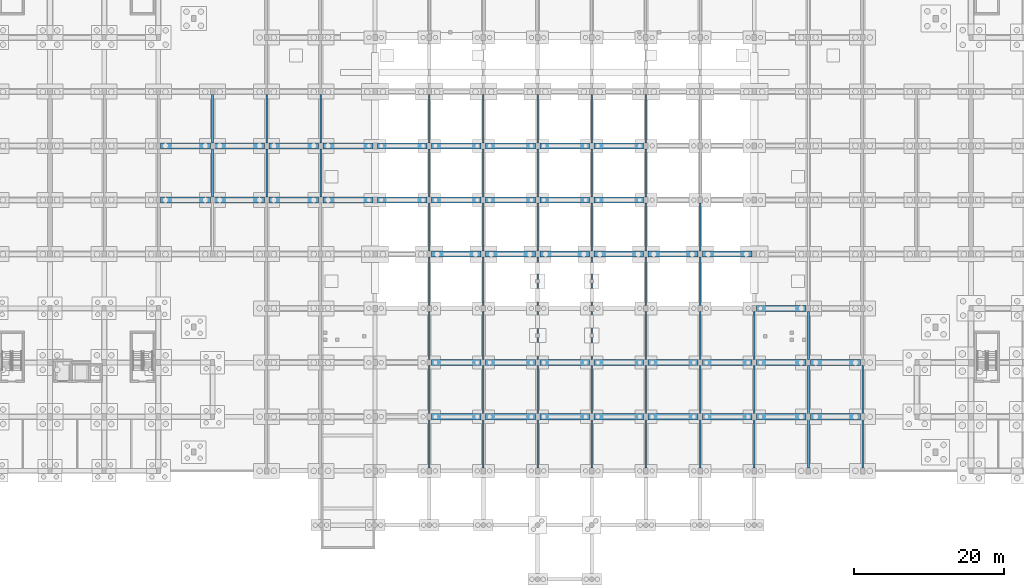
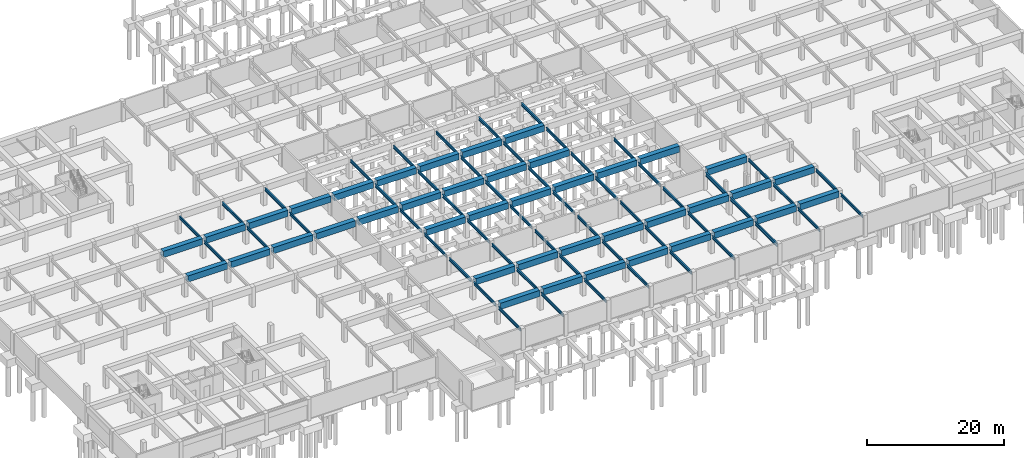
# One storey, part 19 of 36: 95 beams.
"""IFC4 building model written with IfcOpenShell, lengths in metres."""

from ifc_helpers import new_model, si_unit, direction, frame, origin, origin_2d, place, context, subcontext, project, spatial, rectangle, i_section, extrude, material, material_profile, profile_set, type_object, element, save


model = new_model("IFC4")

# Units and contexts
model_context = context("Model", 3, precision=1e-05, world=origin(), true_north=direction((0.0, 1.0)))
body_context = subcontext(model_context, "Body", "Model", "MODEL_VIEW")
ifc_project = project(units=[si_unit("LENGTHUNIT", "METRE"), si_unit("AREAUNIT", "SQUARE_METRE"), si_unit("VOLUMEUNIT", "CUBIC_METRE"), si_unit("PLANEANGLEUNIT", "RADIAN"), si_unit("MASSUNIT", "GRAM", prefix="KILO")], contexts=[model_context])

# Site, building, storey
site_placement = place(None, origin())
site = spatial("IfcSite", under=ifc_project, at=site_placement, CompositionType="ELEMENT")
building_placement = place(site_placement, origin())
building = spatial("IfcBuilding", under=site, at=building_placement, Name="Ochrevale Crest", CompositionType="ELEMENT")
storey_placement = place(building_placement, frame((0.0, 0.0, -3.60009765625)))
storey = spatial("IfcBuildingStorey", under=building, at=storey_placement, Name="B1", CompositionType="ELEMENT", Elevation=-3.60009765625)

# Beams
ifc_material_1 = material(Name="Concrete C50/60", Category="concrete")
ifc_material_profile_1 = material_profile(ifc_material_1, rectangle(XDim=0.800048828125, YDim=1.10009765625, at=origin_2d()), Name="RC 800x1100")
ifc_profile_set_1 = profile_set([ifc_material_profile_1], Name="Concrete C50/60")
beam_type_1 = type_object("IfcBeamType", Name="BM-TG800x1100", PredefinedType="USERDEFINED", material=ifc_profile_set_1)
for number, where, z_axis, x_axis, name in (
    (1, (29.094970703125, 50.39990234375, 3.050048828125), (1.0, 0.0, 0.0), (0.0, 1.0, 0.0), "B1 podium primary girder (28.8,50.4)"),
    (2, (29.094970703125, 57.60009765625, 3.050048828125), (1.0, 0.0, 0.0), (0.0, 1.0, 0.0), "B1 podium primary girder (28.8,57.6)"),
    (3, (36.294921875, 50.39990234375, 3.050048828125), (1.0, 0.0, 0.0), (0.0, 1.0, 0.0), "B1 podium primary girder (36.0,50.4)"),
    (4, (36.294921875, 57.60009765625, 3.050048828125), (1.0, 0.0, 0.0), (0.0, 1.0, 0.0), "B1 podium primary girder (36.0,57.6)"),
):
    element("IfcBeam", number, at=place(storey_placement, frame(where, z_axis=z_axis, x_axis=x_axis)), inside=storey, type_object=beam_type_1, Name=name, ObjectType="GIRDER", PredefinedType="USERDEFINED", context=body_context, shape_type="SweptSolid", body=[
        extrude(rectangle(XDim=0.800048828125, YDim=1.10009765625, at=origin_2d()), origin(), (0.0, 0.0, 1.0), 6.610107421875),
    ])
for number, where, z_axis, x_axis, name in (
    (5, (43.4951171875, 50.39990234375, 3.050048828125), (1.0, 0.0, 0.0), (0.0, 1.0, 0.0), "B1 podium primary girder (43.2,50.4)"),
    (6, (43.4951171875, 57.60009765625, 3.050048828125), (1.0, 0.0, 0.0), (0.0, 1.0, 0.0), "B1 podium primary girder (43.2,57.6)"),
    (7, (50.695068359375, 50.39990234375, 3.050048828125), (1.0, 0.0, 0.0), (0.0, 1.0, 0.0), "B1 podium primary girder (50.4,50.4)"),
    (8, (50.695068359375, 57.60009765625, 3.050048828125), (1.0, 0.0, 0.0), (0.0, 1.0, 0.0), "B1 podium primary girder (50.4,57.6)"),
    (9, (57.89501953125, 50.39990234375, 3.050048828125), (1.0, 0.0, 0.0), (0.0, 1.0, 0.0), "B1 podium primary girder (57.6,50.4)"),
    (10, (57.89501953125, 57.60009765625, 3.050048828125), (1.0, 0.0, 0.0), (0.0, 1.0, 0.0), "B1 podium primary girder (57.6,57.6)"),
):
    element("IfcBeam", number, at=place(storey_placement, frame(where, z_axis=z_axis, x_axis=x_axis)), inside=storey, type_object=beam_type_1, Name=name, ObjectType="GIRDER", PredefinedType="USERDEFINED", context=body_context, shape_type="SweptSolid", body=[
        extrude(rectangle(XDim=0.800048828125, YDim=1.10009765625, at=origin_2d()), origin(), (0.0, 0.0, 1.0), 6.60986328125),
    ])
for number, where, z_axis, x_axis, name in (
    (11, (65.094970703125, 21.60009765625, 3.050048828125), (1.0, 0.0, 0.0), (0.0, 1.0, 0.0), "B1 podium primary girder (64.8,21.6)"),
    (12, (65.094970703125, 28.800048828125, 3.050048828125), (1.0, 0.0, 0.0), (0.0, 1.0, 0.0), "B1 podium primary girder (64.8,28.8)"),
    (13, (65.094970703125, 43.199951171875, 3.050048828125), (1.0, 0.0, 0.0), (0.0, 1.0, 0.0), "B1 podium primary girder (64.8,43.2)"),
    (14, (65.094970703125, 50.39990234375, 3.050048828125), (1.0, 0.0, 0.0), (0.0, 1.0, 0.0), "B1 podium primary girder (64.8,50.4)"),
    (15, (65.094970703125, 57.60009765625, 3.050048828125), (1.0, 0.0, 0.0), (0.0, 1.0, 0.0), "B1 podium primary girder (64.8,57.6)"),
    (16, (72.294921875, 21.60009765625, 3.050048828125), (1.0, 0.0, 0.0), (0.0, 1.0, 0.0), "B1 podium primary girder (72.0,21.6)"),
    (17, (72.294921875, 28.800048828125, 3.050048828125), (1.0, 0.0, 0.0), (0.0, 1.0, 0.0), "B1 podium primary girder (72.0,28.8)"),
    (18, (72.294921875, 43.199951171875, 3.050048828125), (1.0, 0.0, 0.0), (0.0, 1.0, 0.0), "B1 podium primary girder (72.0,43.2)"),
    (19, (72.294921875, 50.39990234375, 3.050048828125), (1.0, 0.0, 0.0), (0.0, 1.0, 0.0), "B1 podium primary girder (72.0,50.4)"),
    (20, (72.294921875, 57.60009765625, 3.050048828125), (1.0, 0.0, 0.0), (0.0, 1.0, 0.0), "B1 podium primary girder (72.0,57.6)"),
):
    element("IfcBeam", number, at=place(storey_placement, frame(where, z_axis=z_axis, x_axis=x_axis)), inside=storey, type_object=beam_type_1, Name=name, ObjectType="GIRDER", PredefinedType="USERDEFINED", context=body_context, shape_type="SweptSolid", body=[
        extrude(rectangle(XDim=0.800048828125, YDim=1.10009765625, at=origin_2d()), origin(), (0.0, 0.0, 1.0), 6.610107421875),
    ])
for number, where, z_axis, x_axis, name in (
    (21, (79.4951171875, 21.60009765625, 3.050048828125), (1.0, 0.0, 0.0), (0.0, 1.0, 0.0), "B1 podium primary girder (79.2,21.6)"),
    (22, (79.4951171875, 28.800048828125, 3.050048828125), (1.0, 0.0, 0.0), (0.0, 1.0, 0.0), "B1 podium primary girder (79.2,28.8)"),
    (23, (79.4951171875, 43.199951171875, 3.050048828125), (1.0, 0.0, 0.0), (0.0, 1.0, 0.0), "B1 podium primary girder (79.2,43.2)"),
    (24, (79.4951171875, 50.39990234375, 3.050048828125), (1.0, 0.0, 0.0), (0.0, 1.0, 0.0), "B1 podium primary girder (79.2,50.4)"),
    (25, (79.4951171875, 57.60009765625, 3.050048828125), (1.0, 0.0, 0.0), (0.0, 1.0, 0.0), "B1 podium primary girder (79.2,57.6)"),
    (26, (86.695068359375, 21.60009765625, 3.050048828125), (1.0, 0.0, 0.0), (0.0, 1.0, 0.0), "B1 podium primary girder (86.4,21.6)"),
    (27, (86.695068359375, 28.800048828125, 3.050048828125), (1.0, 0.0, 0.0), (0.0, 1.0, 0.0), "B1 podium primary girder (86.4,28.8)"),
    (28, (86.695068359375, 43.199951171875, 3.050048828125), (1.0, 0.0, 0.0), (0.0, 1.0, 0.0), "B1 podium primary girder (86.4,43.2)"),
    (29, (86.695068359375, 50.39990234375, 3.050048828125), (1.0, 0.0, 0.0), (0.0, 1.0, 0.0), "B1 podium primary girder (86.4,50.4)"),
    (30, (86.695068359375, 57.60009765625, 3.050048828125), (1.0, 0.0, 0.0), (0.0, 1.0, 0.0), "B1 podium primary girder (86.4,57.6)"),
    (31, (93.89501953125, 21.60009765625, 3.050048828125), (1.0, 0.0, 0.0), (0.0, 1.0, 0.0), "B1 podium primary girder (93.6,21.6)"),
    (32, (93.89501953125, 28.800048828125, 3.050048828125), (1.0, 0.0, 0.0), (0.0, 1.0, 0.0), "B1 podium primary girder (93.6,28.8)"),
    (33, (93.89501953125, 43.199951171875, 3.050048828125), (1.0, 0.0, 0.0), (0.0, 1.0, 0.0), "B1 podium primary girder (93.6,43.2)"),
):
    element("IfcBeam", number, at=place(storey_placement, frame(where, z_axis=z_axis, x_axis=x_axis)), inside=storey, type_object=beam_type_1, Name=name, ObjectType="GIRDER", PredefinedType="USERDEFINED", context=body_context, shape_type="SweptSolid", body=[
        extrude(rectangle(XDim=0.800048828125, YDim=1.10009765625, at=origin_2d()), origin(), (0.0, 0.0, 1.0), 6.60986328125),
    ])
for number, where, z_axis, x_axis, name in (
    (34, (101.094970703125, 21.60009765625, 3.050048828125), (1.0, 0.0, 0.0), (0.0, 1.0, 0.0), "B1 podium primary girder (100.8,21.6)"),
    (35, (101.094970703125, 28.800048828125, 3.050048828125), (1.0, 0.0, 0.0), (0.0, 1.0, 0.0), "B1 podium primary girder (100.8,28.8)"),
    (36, (101.094970703125, 43.199951171875, 3.050048828125), (1.0, 0.0, 0.0), (0.0, 1.0, 0.0), "B1 podium primary girder (100.8,43.2)"),
    (37, (108.294921875, 21.60009765625, 3.050048828125), (1.0, 0.0, 0.0), (0.0, 1.0, 0.0), "B1 podium primary girder (108.0,21.6)"),
    (38, (108.294921875, 28.800048828125, 3.050048828125), (1.0, 0.0, 0.0), (0.0, 1.0, 0.0), "B1 podium primary girder (108.0,28.8)"),
    (39, (108.294921875, 36.0, 3.050048828125), (1.0, 0.0, 0.0), (0.0, 1.0, 0.0), "B1 podium primary girder (108.0,36.0)"),
):
    element("IfcBeam", number, at=place(storey_placement, frame(where, z_axis=z_axis, x_axis=x_axis)), inside=storey, type_object=beam_type_1, Name=name, ObjectType="GIRDER", PredefinedType="USERDEFINED", context=body_context, shape_type="SweptSolid", body=[
        extrude(rectangle(XDim=0.800048828125, YDim=1.10009765625, at=origin_2d()), origin(), (0.0, 0.0, 1.0), 6.610107421875),
    ])
for number, where, z_axis, x_axis, name in (
    (40, (115.4951171875, 21.60009765625, 3.050048828125), (1.0, 0.0, 0.0), (0.0, 1.0, 0.0), "B1 podium primary girder (115.2,21.6)"),
    (41, (115.4951171875, 28.800048828125, 3.050048828125), (1.0, 0.0, 0.0), (0.0, 1.0, 0.0), "B1 podium primary girder (115.2,28.8)"),
):
    element("IfcBeam", number, at=place(storey_placement, frame(where, z_axis=z_axis, x_axis=x_axis)), inside=storey, type_object=beam_type_1, Name=name, ObjectType="GIRDER", PredefinedType="USERDEFINED", context=body_context, shape_type="SweptSolid", body=[
        extrude(rectangle(XDim=0.800048828125, YDim=1.10009765625, at=origin_2d()), origin(), (0.0, 0.0, 1.0), 6.60986328125),
    ])
ifc_material_2 = material(Name="Steel S355", Category="steel")
ifc_material_profile_2 = material_profile(ifc_material_2, i_section(OverallWidth=0.208740234375, OverallDepth=0.5283203125, WebThickness=0.009521484375, FlangeThickness=0.01318359375, FilletRadius=0.013916015625, at=origin_2d()), Name="530UB82.0")
ifc_profile_set_2 = profile_set([ifc_material_profile_2], Name="Steel S355")
beam_type_2 = type_object("IfcBeamType", Name="BM-UB530", PredefinedType="USERDEFINED", material=ifc_profile_set_2)
beam_1_placement = place(storey_placement, frame((36.0, 50.794921875, 2.916015625), z_axis=(0.0, 1.0, 0.0), x_axis=(-1.0, 0.0, 0.0)))
element("IfcBeam", 42, at=beam_1_placement, inside=storey, type_object=beam_type_2, Name="B1 carpark steel girder (36.0,50.4)", ObjectType="GIRDER", PredefinedType="USERDEFINED", context=body_context, shape_type="SweptSolid", body=[
    extrude(i_section(OverallWidth=0.208740234375, OverallDepth=0.5283203125, WebThickness=0.009521484375, FlangeThickness=0.01318359375, FilletRadius=0.013916015625, at=origin_2d()), origin(), (0.0, 0.0, 1.0), 6.41015625),
])
beam_2_placement = place(storey_placement, frame((36.0, 57.9951171875, 2.916015625), z_axis=(0.0, 1.0, 0.0), x_axis=(-1.0, 0.0, 0.0)))
element("IfcBeam", 43, at=beam_2_placement, inside=storey, type_object=beam_type_2, Name="B1 carpark steel girder (36.0,57.6)", ObjectType="GIRDER", PredefinedType="USERDEFINED", context=body_context, shape_type="SweptSolid", body=[
    extrude(i_section(OverallWidth=0.208740234375, OverallDepth=0.5283203125, WebThickness=0.009521484375, FlangeThickness=0.01318359375, FilletRadius=0.013916015625, at=origin_2d()), origin(), (0.0, 0.0, 1.0), 6.409912109375),
])
beam_3_placement = place(storey_placement, frame((43.199951171875, 50.794921875, 2.916015625), z_axis=(0.0, 1.0, 0.0), x_axis=(-1.0, 0.0, 0.0)))
element("IfcBeam", 44, at=beam_3_placement, inside=storey, type_object=beam_type_2, Name="B1 carpark steel girder (43.2,50.4)", ObjectType="GIRDER", PredefinedType="USERDEFINED", context=body_context, shape_type="SweptSolid", body=[
    extrude(i_section(OverallWidth=0.208740234375, OverallDepth=0.5283203125, WebThickness=0.009521484375, FlangeThickness=0.01318359375, FilletRadius=0.013916015625, at=origin_2d()), origin(), (0.0, 0.0, 1.0), 6.41015625),
])
beam_4_placement = place(storey_placement, frame((43.199951171875, 57.9951171875, 2.916015625), z_axis=(0.0, 1.0, 0.0), x_axis=(-1.0, 0.0, 0.0)))
element("IfcBeam", 45, at=beam_4_placement, inside=storey, type_object=beam_type_2, Name="B1 carpark steel girder (43.2,57.6)", ObjectType="GIRDER", PredefinedType="USERDEFINED", context=body_context, shape_type="SweptSolid", body=[
    extrude(i_section(OverallWidth=0.208740234375, OverallDepth=0.5283203125, WebThickness=0.009521484375, FlangeThickness=0.01318359375, FilletRadius=0.013916015625, at=origin_2d()), origin(), (0.0, 0.0, 1.0), 6.409912109375),
])
beam_5_placement = place(storey_placement, frame((50.39990234375, 50.794921875, 2.916015625), z_axis=(0.0, 1.0, 0.0), x_axis=(-1.0, 0.0, 0.0)))
element("IfcBeam", 46, at=beam_5_placement, inside=storey, type_object=beam_type_2, Name="B1 carpark steel girder (50.4,50.4)", ObjectType="GIRDER", PredefinedType="USERDEFINED", context=body_context, shape_type="SweptSolid", body=[
    extrude(i_section(OverallWidth=0.208740234375, OverallDepth=0.5283203125, WebThickness=0.009521484375, FlangeThickness=0.01318359375, FilletRadius=0.013916015625, at=origin_2d()), origin(), (0.0, 0.0, 1.0), 6.41015625),
])
beam_6_placement = place(storey_placement, frame((50.39990234375, 57.9951171875, 2.916015625), z_axis=(0.0, 1.0, 0.0), x_axis=(-1.0, 0.0, 0.0)))
element("IfcBeam", 47, at=beam_6_placement, inside=storey, type_object=beam_type_2, Name="B1 carpark steel girder (50.4,57.6)", ObjectType="GIRDER", PredefinedType="USERDEFINED", context=body_context, shape_type="SweptSolid", body=[
    extrude(i_section(OverallWidth=0.208740234375, OverallDepth=0.5283203125, WebThickness=0.009521484375, FlangeThickness=0.01318359375, FilletRadius=0.013916015625, at=origin_2d()), origin(), (0.0, 0.0, 1.0), 6.409912109375),
])
beam_7_placement = place(storey_placement, frame((64.800048828125, 14.794921875, 2.916015625), z_axis=(0.0, 1.0, 0.0), x_axis=(-1.0, 0.0, 0.0)))
element("IfcBeam", 48, at=beam_7_placement, inside=storey, type_object=beam_type_2, Name="B1 carpark steel girder (64.8,14.4)", ObjectType="GIRDER", PredefinedType="USERDEFINED", context=body_context, shape_type="SweptSolid", body=[
    extrude(i_section(OverallWidth=0.208740234375, OverallDepth=0.5283203125, WebThickness=0.009521484375, FlangeThickness=0.01318359375, FilletRadius=0.013916015625, at=origin_2d()), origin(), (0.0, 0.0, 1.0), 6.41015625),
])
for number, where, z_axis, x_axis, name in (
    (49, (64.800048828125, 21.9951171875, 2.916015625), (0.0, 1.0, 0.0), (-1.0, 0.0, 0.0), "B1 carpark steel girder (64.8,21.6)"),
    (50, (64.800048828125, 29.195068359375, 2.916015625), (0.0, 1.0, 0.0), (-1.0, 0.0, 0.0), "B1 carpark steel girder (64.8,28.8)"),
    (51, (64.800048828125, 36.39501953125, 2.916015625), (0.0, 1.0, 0.0), (-1.0, 0.0, 0.0), "B1 carpark steel girder (64.8,36.0)"),
    (52, (64.800048828125, 43.594970703125, 2.916015625), (0.0, 1.0, 0.0), (-1.0, 0.0, 0.0), "B1 carpark steel girder (64.8,43.2)"),
):
    element("IfcBeam", number, at=place(storey_placement, frame(where, z_axis=z_axis, x_axis=x_axis)), inside=storey, type_object=beam_type_2, Name=name, ObjectType="GIRDER", PredefinedType="USERDEFINED", context=body_context, shape_type="SweptSolid", body=[
        extrude(i_section(OverallWidth=0.208740234375, OverallDepth=0.5283203125, WebThickness=0.009521484375, FlangeThickness=0.01318359375, FilletRadius=0.013916015625, at=origin_2d()), origin(), (0.0, 0.0, 1.0), 6.409912109375),
    ])
beam_8_placement = place(storey_placement, frame((64.800048828125, 50.794921875, 2.916015625), z_axis=(0.0, 1.0, 0.0), x_axis=(-1.0, 0.0, 0.0)))
element("IfcBeam", 53, at=beam_8_placement, inside=storey, type_object=beam_type_2, Name="B1 carpark steel girder (64.8,50.4)", ObjectType="GIRDER", PredefinedType="USERDEFINED", context=body_context, shape_type="SweptSolid", body=[
    extrude(i_section(OverallWidth=0.208740234375, OverallDepth=0.5283203125, WebThickness=0.009521484375, FlangeThickness=0.01318359375, FilletRadius=0.013916015625, at=origin_2d()), origin(), (0.0, 0.0, 1.0), 6.41015625),
])
beam_9_placement = place(storey_placement, frame((64.800048828125, 57.9951171875, 2.916015625), z_axis=(0.0, 1.0, 0.0), x_axis=(-1.0, 0.0, 0.0)))
element("IfcBeam", 54, at=beam_9_placement, inside=storey, type_object=beam_type_2, Name="B1 carpark steel girder (64.8,57.6)", ObjectType="GIRDER", PredefinedType="USERDEFINED", context=body_context, shape_type="SweptSolid", body=[
    extrude(i_section(OverallWidth=0.208740234375, OverallDepth=0.5283203125, WebThickness=0.009521484375, FlangeThickness=0.01318359375, FilletRadius=0.013916015625, at=origin_2d()), origin(), (0.0, 0.0, 1.0), 6.409912109375),
])
beam_10_placement = place(storey_placement, frame((72.0, 14.794921875, 2.916015625), z_axis=(0.0, 1.0, 0.0), x_axis=(-1.0, 0.0, 0.0)))
element("IfcBeam", 55, at=beam_10_placement, inside=storey, type_object=beam_type_2, Name="B1 carpark steel girder (72.0,14.4)", ObjectType="GIRDER", PredefinedType="USERDEFINED", context=body_context, shape_type="SweptSolid", body=[
    extrude(i_section(OverallWidth=0.208740234375, OverallDepth=0.5283203125, WebThickness=0.009521484375, FlangeThickness=0.01318359375, FilletRadius=0.013916015625, at=origin_2d()), origin(), (0.0, 0.0, 1.0), 6.41015625),
])
for number, where, z_axis, x_axis, name in (
    (56, (72.0, 21.9951171875, 2.916015625), (0.0, 1.0, 0.0), (-1.0, 0.0, 0.0), "B1 carpark steel girder (72.0,21.6)"),
    (57, (72.0, 29.195068359375, 2.916015625), (0.0, 1.0, 0.0), (-1.0, 0.0, 0.0), "B1 carpark steel girder (72.0,28.8)"),
    (58, (72.0, 36.39501953125, 2.916015625), (0.0, 1.0, 0.0), (-1.0, 0.0, 0.0), "B1 carpark steel girder (72.0,36.0)"),
    (59, (72.0, 43.594970703125, 2.916015625), (0.0, 1.0, 0.0), (-1.0, 0.0, 0.0), "B1 carpark steel girder (72.0,43.2)"),
):
    element("IfcBeam", number, at=place(storey_placement, frame(where, z_axis=z_axis, x_axis=x_axis)), inside=storey, type_object=beam_type_2, Name=name, ObjectType="GIRDER", PredefinedType="USERDEFINED", context=body_context, shape_type="SweptSolid", body=[
        extrude(i_section(OverallWidth=0.208740234375, OverallDepth=0.5283203125, WebThickness=0.009521484375, FlangeThickness=0.01318359375, FilletRadius=0.013916015625, at=origin_2d()), origin(), (0.0, 0.0, 1.0), 6.409912109375),
    ])
beam_11_placement = place(storey_placement, frame((72.0, 50.794921875, 2.916015625), z_axis=(0.0, 1.0, 0.0), x_axis=(-1.0, 0.0, 0.0)))
element("IfcBeam", 60, at=beam_11_placement, inside=storey, type_object=beam_type_2, Name="B1 carpark steel girder (72.0,50.4)", ObjectType="GIRDER", PredefinedType="USERDEFINED", context=body_context, shape_type="SweptSolid", body=[
    extrude(i_section(OverallWidth=0.208740234375, OverallDepth=0.5283203125, WebThickness=0.009521484375, FlangeThickness=0.01318359375, FilletRadius=0.013916015625, at=origin_2d()), origin(), (0.0, 0.0, 1.0), 6.41015625),
])
beam_12_placement = place(storey_placement, frame((72.0, 57.9951171875, 2.916015625), z_axis=(0.0, 1.0, 0.0), x_axis=(-1.0, 0.0, 0.0)))
element("IfcBeam", 61, at=beam_12_placement, inside=storey, type_object=beam_type_2, Name="B1 carpark steel girder (72.0,57.6)", ObjectType="GIRDER", PredefinedType="USERDEFINED", context=body_context, shape_type="SweptSolid", body=[
    extrude(i_section(OverallWidth=0.208740234375, OverallDepth=0.5283203125, WebThickness=0.009521484375, FlangeThickness=0.01318359375, FilletRadius=0.013916015625, at=origin_2d()), origin(), (0.0, 0.0, 1.0), 6.409912109375),
])
beam_13_placement = place(storey_placement, frame((79.199951171875, 14.794921875, 2.916015625), z_axis=(0.0, 1.0, 0.0), x_axis=(-1.0, 0.0, 0.0)))
element("IfcBeam", 62, at=beam_13_placement, inside=storey, type_object=beam_type_2, Name="B1 carpark steel girder (79.2,14.4)", ObjectType="GIRDER", PredefinedType="USERDEFINED", context=body_context, shape_type="SweptSolid", body=[
    extrude(i_section(OverallWidth=0.208740234375, OverallDepth=0.5283203125, WebThickness=0.009521484375, FlangeThickness=0.01318359375, FilletRadius=0.013916015625, at=origin_2d()), origin(), (0.0, 0.0, 1.0), 6.41015625),
])
for number, where, z_axis, x_axis, name in (
    (63, (79.199951171875, 21.9951171875, 2.916015625), (0.0, 1.0, 0.0), (-1.0, 0.0, 0.0), "B1 carpark steel girder (79.2,21.6)"),
    (64, (79.199951171875, 29.195068359375, 2.916015625), (0.0, 1.0, 0.0), (-1.0, 0.0, 0.0), "B1 carpark steel girder (79.2,28.8)"),
    (65, (79.199951171875, 36.39501953125, 2.916015625), (0.0, 1.0, 0.0), (-1.0, 0.0, 0.0), "B1 carpark steel girder (79.2,36.0)"),
    (66, (79.199951171875, 43.594970703125, 2.916015625), (0.0, 1.0, 0.0), (-1.0, 0.0, 0.0), "B1 carpark steel girder (79.2,43.2)"),
):
    element("IfcBeam", number, at=place(storey_placement, frame(where, z_axis=z_axis, x_axis=x_axis)), inside=storey, type_object=beam_type_2, Name=name, ObjectType="GIRDER", PredefinedType="USERDEFINED", context=body_context, shape_type="SweptSolid", body=[
        extrude(i_section(OverallWidth=0.208740234375, OverallDepth=0.5283203125, WebThickness=0.009521484375, FlangeThickness=0.01318359375, FilletRadius=0.013916015625, at=origin_2d()), origin(), (0.0, 0.0, 1.0), 6.409912109375),
    ])
beam_14_placement = place(storey_placement, frame((79.199951171875, 50.794921875, 2.916015625), z_axis=(0.0, 1.0, 0.0), x_axis=(-1.0, 0.0, 0.0)))
element("IfcBeam", 67, at=beam_14_placement, inside=storey, type_object=beam_type_2, Name="B1 carpark steel girder (79.2,50.4)", ObjectType="GIRDER", PredefinedType="USERDEFINED", context=body_context, shape_type="SweptSolid", body=[
    extrude(i_section(OverallWidth=0.208740234375, OverallDepth=0.5283203125, WebThickness=0.009521484375, FlangeThickness=0.01318359375, FilletRadius=0.013916015625, at=origin_2d()), origin(), (0.0, 0.0, 1.0), 6.41015625),
])
beam_15_placement = place(storey_placement, frame((79.199951171875, 57.9951171875, 2.916015625), z_axis=(0.0, 1.0, 0.0), x_axis=(-1.0, 0.0, 0.0)))
element("IfcBeam", 68, at=beam_15_placement, inside=storey, type_object=beam_type_2, Name="B1 carpark steel girder (79.2,57.6)", ObjectType="GIRDER", PredefinedType="USERDEFINED", context=body_context, shape_type="SweptSolid", body=[
    extrude(i_section(OverallWidth=0.208740234375, OverallDepth=0.5283203125, WebThickness=0.009521484375, FlangeThickness=0.01318359375, FilletRadius=0.013916015625, at=origin_2d()), origin(), (0.0, 0.0, 1.0), 6.409912109375),
])
beam_16_placement = place(storey_placement, frame((86.39990234375, 14.794921875, 2.916015625), z_axis=(0.0, 1.0, 0.0), x_axis=(-1.0, 0.0, 0.0)))
element("IfcBeam", 69, at=beam_16_placement, inside=storey, type_object=beam_type_2, Name="B1 carpark steel girder (86.4,14.4)", ObjectType="GIRDER", PredefinedType="USERDEFINED", context=body_context, shape_type="SweptSolid", body=[
    extrude(i_section(OverallWidth=0.208740234375, OverallDepth=0.5283203125, WebThickness=0.009521484375, FlangeThickness=0.01318359375, FilletRadius=0.013916015625, at=origin_2d()), origin(), (0.0, 0.0, 1.0), 6.41015625),
])
for number, where, z_axis, x_axis, name in (
    (70, (86.39990234375, 21.9951171875, 2.916015625), (0.0, 1.0, 0.0), (-1.0, 0.0, 0.0), "B1 carpark steel girder (86.4,21.6)"),
    (71, (86.39990234375, 29.195068359375, 2.916015625), (0.0, 1.0, 0.0), (-1.0, 0.0, 0.0), "B1 carpark steel girder (86.4,28.8)"),
    (72, (86.39990234375, 36.39501953125, 2.916015625), (0.0, 1.0, 0.0), (-1.0, 0.0, 0.0), "B1 carpark steel girder (86.4,36.0)"),
    (73, (86.39990234375, 43.594970703125, 2.916015625), (0.0, 1.0, 0.0), (-1.0, 0.0, 0.0), "B1 carpark steel girder (86.4,43.2)"),
):
    element("IfcBeam", number, at=place(storey_placement, frame(where, z_axis=z_axis, x_axis=x_axis)), inside=storey, type_object=beam_type_2, Name=name, ObjectType="GIRDER", PredefinedType="USERDEFINED", context=body_context, shape_type="SweptSolid", body=[
        extrude(i_section(OverallWidth=0.208740234375, OverallDepth=0.5283203125, WebThickness=0.009521484375, FlangeThickness=0.01318359375, FilletRadius=0.013916015625, at=origin_2d()), origin(), (0.0, 0.0, 1.0), 6.409912109375),
    ])
beam_17_placement = place(storey_placement, frame((86.39990234375, 50.794921875, 2.916015625), z_axis=(0.0, 1.0, 0.0), x_axis=(-1.0, 0.0, 0.0)))
element("IfcBeam", 74, at=beam_17_placement, inside=storey, type_object=beam_type_2, Name="B1 carpark steel girder (86.4,50.4)", ObjectType="GIRDER", PredefinedType="USERDEFINED", context=body_context, shape_type="SweptSolid", body=[
    extrude(i_section(OverallWidth=0.208740234375, OverallDepth=0.5283203125, WebThickness=0.009521484375, FlangeThickness=0.01318359375, FilletRadius=0.013916015625, at=origin_2d()), origin(), (0.0, 0.0, 1.0), 6.41015625),
])
beam_18_placement = place(storey_placement, frame((86.39990234375, 57.9951171875, 2.916015625), z_axis=(0.0, 1.0, 0.0), x_axis=(-1.0, 0.0, 0.0)))
element("IfcBeam", 75, at=beam_18_placement, inside=storey, type_object=beam_type_2, Name="B1 carpark steel girder (86.4,57.6)", ObjectType="GIRDER", PredefinedType="USERDEFINED", context=body_context, shape_type="SweptSolid", body=[
    extrude(i_section(OverallWidth=0.208740234375, OverallDepth=0.5283203125, WebThickness=0.009521484375, FlangeThickness=0.01318359375, FilletRadius=0.013916015625, at=origin_2d()), origin(), (0.0, 0.0, 1.0), 6.409912109375),
])
beam_19_placement = place(storey_placement, frame((93.60009765625, 14.794921875, 2.916015625), z_axis=(0.0, 1.0, 0.0), x_axis=(-1.0, 0.0, 0.0)))
element("IfcBeam", 76, at=beam_19_placement, inside=storey, type_object=beam_type_2, Name="B1 carpark steel girder (93.6,14.4)", ObjectType="GIRDER", PredefinedType="USERDEFINED", context=body_context, shape_type="SweptSolid", body=[
    extrude(i_section(OverallWidth=0.208740234375, OverallDepth=0.5283203125, WebThickness=0.009521484375, FlangeThickness=0.01318359375, FilletRadius=0.013916015625, at=origin_2d()), origin(), (0.0, 0.0, 1.0), 6.41015625),
])
for number, where, z_axis, x_axis, name in (
    (77, (93.60009765625, 21.9951171875, 2.916015625), (0.0, 1.0, 0.0), (-1.0, 0.0, 0.0), "B1 carpark steel girder (93.6,21.6)"),
    (78, (93.60009765625, 29.195068359375, 2.916015625), (0.0, 1.0, 0.0), (-1.0, 0.0, 0.0), "B1 carpark steel girder (93.6,28.8)"),
    (79, (93.60009765625, 36.39501953125, 2.916015625), (0.0, 1.0, 0.0), (-1.0, 0.0, 0.0), "B1 carpark steel girder (93.6,36.0)"),
    (80, (93.60009765625, 43.594970703125, 2.916015625), (0.0, 1.0, 0.0), (-1.0, 0.0, 0.0), "B1 carpark steel girder (93.6,43.2)"),
):
    element("IfcBeam", number, at=place(storey_placement, frame(where, z_axis=z_axis, x_axis=x_axis)), inside=storey, type_object=beam_type_2, Name=name, ObjectType="GIRDER", PredefinedType="USERDEFINED", context=body_context, shape_type="SweptSolid", body=[
        extrude(i_section(OverallWidth=0.208740234375, OverallDepth=0.5283203125, WebThickness=0.009521484375, FlangeThickness=0.01318359375, FilletRadius=0.013916015625, at=origin_2d()), origin(), (0.0, 0.0, 1.0), 6.409912109375),
    ])
beam_20_placement = place(storey_placement, frame((93.60009765625, 50.794921875, 2.916015625), z_axis=(0.0, 1.0, 0.0), x_axis=(-1.0, 0.0, 0.0)))
element("IfcBeam", 81, at=beam_20_placement, inside=storey, type_object=beam_type_2, Name="B1 carpark steel girder (93.6,50.4)", ObjectType="GIRDER", PredefinedType="USERDEFINED", context=body_context, shape_type="SweptSolid", body=[
    extrude(i_section(OverallWidth=0.208740234375, OverallDepth=0.5283203125, WebThickness=0.009521484375, FlangeThickness=0.01318359375, FilletRadius=0.013916015625, at=origin_2d()), origin(), (0.0, 0.0, 1.0), 6.41015625),
])
beam_21_placement = place(storey_placement, frame((93.60009765625, 57.9951171875, 2.916015625), z_axis=(0.0, 1.0, 0.0), x_axis=(-1.0, 0.0, 0.0)))
element("IfcBeam", 82, at=beam_21_placement, inside=storey, type_object=beam_type_2, Name="B1 carpark steel girder (93.6,57.6)", ObjectType="GIRDER", PredefinedType="USERDEFINED", context=body_context, shape_type="SweptSolid", body=[
    extrude(i_section(OverallWidth=0.208740234375, OverallDepth=0.5283203125, WebThickness=0.009521484375, FlangeThickness=0.01318359375, FilletRadius=0.013916015625, at=origin_2d()), origin(), (0.0, 0.0, 1.0), 6.409912109375),
])
beam_22_placement = place(storey_placement, frame((100.800048828125, 14.794921875, 2.916015625), z_axis=(0.0, 1.0, 0.0), x_axis=(-1.0, 0.0, 0.0)))
element("IfcBeam", 83, at=beam_22_placement, inside=storey, type_object=beam_type_2, Name="B1 carpark steel girder (100.8,14.4)", ObjectType="GIRDER", PredefinedType="USERDEFINED", context=body_context, shape_type="SweptSolid", body=[
    extrude(i_section(OverallWidth=0.208740234375, OverallDepth=0.5283203125, WebThickness=0.009521484375, FlangeThickness=0.01318359375, FilletRadius=0.013916015625, at=origin_2d()), origin(), (0.0, 0.0, 1.0), 6.41015625),
])
for number, where, z_axis, x_axis, name in (
    (84, (100.800048828125, 21.9951171875, 2.916015625), (0.0, 1.0, 0.0), (-1.0, 0.0, 0.0), "B1 carpark steel girder (100.8,21.6)"),
    (85, (100.800048828125, 29.195068359375, 2.916015625), (0.0, 1.0, 0.0), (-1.0, 0.0, 0.0), "B1 carpark steel girder (100.8,28.8)"),
    (86, (100.800048828125, 36.39501953125, 2.916015625), (0.0, 1.0, 0.0), (-1.0, 0.0, 0.0), "B1 carpark steel girder (100.8,36.0)"),
    (87, (100.800048828125, 43.594970703125, 2.916015625), (0.0, 1.0, 0.0), (-1.0, 0.0, 0.0), "B1 carpark steel girder (100.8,43.2)"),
):
    element("IfcBeam", number, at=place(storey_placement, frame(where, z_axis=z_axis, x_axis=x_axis)), inside=storey, type_object=beam_type_2, Name=name, ObjectType="GIRDER", PredefinedType="USERDEFINED", context=body_context, shape_type="SweptSolid", body=[
        extrude(i_section(OverallWidth=0.208740234375, OverallDepth=0.5283203125, WebThickness=0.009521484375, FlangeThickness=0.01318359375, FilletRadius=0.013916015625, at=origin_2d()), origin(), (0.0, 0.0, 1.0), 6.409912109375),
    ])
beam_23_placement = place(storey_placement, frame((115.199951171875, 14.794921875, 2.916015625), z_axis=(0.0, 1.0, 0.0), x_axis=(-1.0, 0.0, 0.0)))
element("IfcBeam", 88, at=beam_23_placement, inside=storey, type_object=beam_type_2, Name="B1 carpark steel girder (115.2,14.4)", ObjectType="GIRDER", PredefinedType="USERDEFINED", context=body_context, shape_type="SweptSolid", body=[
    extrude(i_section(OverallWidth=0.208740234375, OverallDepth=0.5283203125, WebThickness=0.009521484375, FlangeThickness=0.01318359375, FilletRadius=0.013916015625, at=origin_2d()), origin(), (0.0, 0.0, 1.0), 6.41015625),
])
for number, where, z_axis, x_axis, name in (
    (89, (115.199951171875, 21.9951171875, 2.916015625), (0.0, 1.0, 0.0), (-1.0, 0.0, 0.0), "B1 carpark steel girder (115.2,21.6)"),
    (90, (115.199951171875, 29.195068359375, 2.916015625), (0.0, 1.0, 0.0), (-1.0, 0.0, 0.0), "B1 carpark steel girder (115.2,28.8)"),
):
    element("IfcBeam", number, at=place(storey_placement, frame(where, z_axis=z_axis, x_axis=x_axis)), inside=storey, type_object=beam_type_2, Name=name, ObjectType="GIRDER", PredefinedType="USERDEFINED", context=body_context, shape_type="SweptSolid", body=[
        extrude(i_section(OverallWidth=0.208740234375, OverallDepth=0.5283203125, WebThickness=0.009521484375, FlangeThickness=0.01318359375, FilletRadius=0.013916015625, at=origin_2d()), origin(), (0.0, 0.0, 1.0), 6.409912109375),
    ])
beam_24_placement = place(storey_placement, frame((122.39990234375, 14.794921875, 2.916015625), z_axis=(0.0, 1.0, 0.0), x_axis=(-1.0, 0.0, 0.0)))
element("IfcBeam", 91, at=beam_24_placement, inside=storey, type_object=beam_type_2, Name="B1 carpark steel girder (122.4,14.4)", ObjectType="GIRDER", PredefinedType="USERDEFINED", context=body_context, shape_type="SweptSolid", body=[
    extrude(i_section(OverallWidth=0.208740234375, OverallDepth=0.5283203125, WebThickness=0.009521484375, FlangeThickness=0.01318359375, FilletRadius=0.013916015625, at=origin_2d()), origin(), (0.0, 0.0, 1.0), 6.41015625),
])
beam_25_placement = place(storey_placement, frame((122.39990234375, 21.9951171875, 2.916015625), z_axis=(0.0, 1.0, 0.0), x_axis=(-1.0, 0.0, 0.0)))
element("IfcBeam", 92, at=beam_25_placement, inside=storey, type_object=beam_type_2, Name="B1 carpark steel girder (122.4,21.6)", ObjectType="GIRDER", PredefinedType="USERDEFINED", context=body_context, shape_type="SweptSolid", body=[
    extrude(i_section(OverallWidth=0.208740234375, OverallDepth=0.5283203125, WebThickness=0.009521484375, FlangeThickness=0.01318359375, FilletRadius=0.013916015625, at=origin_2d()), origin(), (0.0, 0.0, 1.0), 6.409912109375),
])
ifc_material_profile_3 = material_profile(ifc_material_2, i_section(OverallWidth=0.22900390625, OverallDepth=0.611572265625, WebThickness=0.011962890625, FlangeThickness=0.01953125, FilletRadius=0.013916015625, at=origin_2d()), Name="610UB125")
ifc_profile_set_3 = profile_set([ifc_material_profile_3], Name="Steel S355")
beam_type_3 = type_object("IfcBeamType", Name="BM-UB610B", PredefinedType="USERDEFINED", material=ifc_profile_set_3)
beam_26_placement = place(storey_placement, frame((108.0, 14.794921875, 2.874267578125), z_axis=(0.0, 1.0, 0.0), x_axis=(-1.0, 0.0, 0.0)))
element("IfcBeam", 93, at=beam_26_placement, inside=storey, type_object=beam_type_3, Name="B1 carpark steel girder (108.0,14.4)", ObjectType="GIRDER", PredefinedType="USERDEFINED", context=body_context, shape_type="SweptSolid", body=[
    extrude(i_section(OverallWidth=0.22900390625, OverallDepth=0.611572265625, WebThickness=0.011962890625, FlangeThickness=0.01953125, FilletRadius=0.013916015625, at=origin_2d()), origin(), (0.0, 0.0, 1.0), 6.41015625),
])
for number, where, z_axis, x_axis, name in (
    (94, (108.0, 21.9951171875, 2.874267578125), (0.0, 1.0, 0.0), (-1.0, 0.0, 0.0), "B1 carpark steel girder (108.0,21.6)"),
    (95, (108.0, 29.195068359375, 2.874267578125), (0.0, 1.0, 0.0), (-1.0, 0.0, 0.0), "B1 carpark steel girder (108.0,28.8)"),
):
    element("IfcBeam", number, at=place(storey_placement, frame(where, z_axis=z_axis, x_axis=x_axis)), inside=storey, type_object=beam_type_3, Name=name, ObjectType="GIRDER", PredefinedType="USERDEFINED", context=body_context, shape_type="SweptSolid", body=[
        extrude(i_section(OverallWidth=0.22900390625, OverallDepth=0.611572265625, WebThickness=0.011962890625, FlangeThickness=0.01953125, FilletRadius=0.013916015625, at=origin_2d()), origin(), (0.0, 0.0, 1.0), 6.409912109375),
    ])

save(model, "model.ifc")
